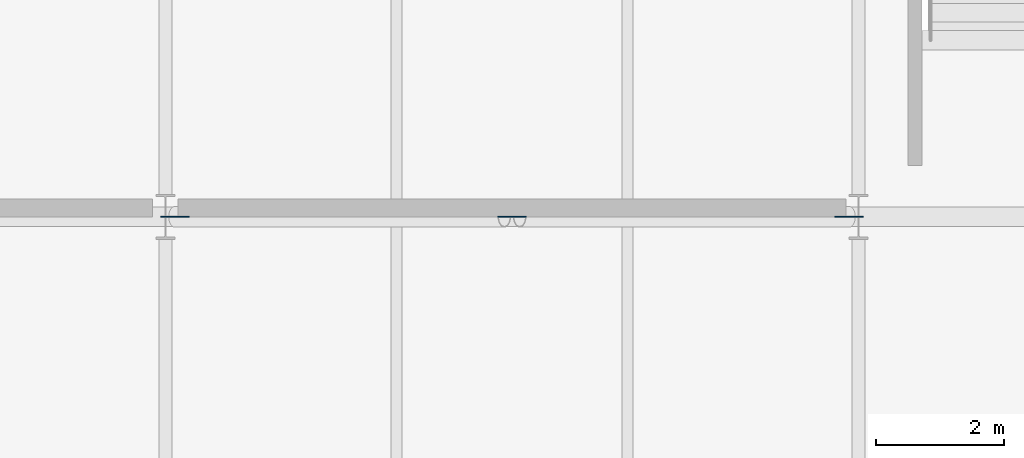
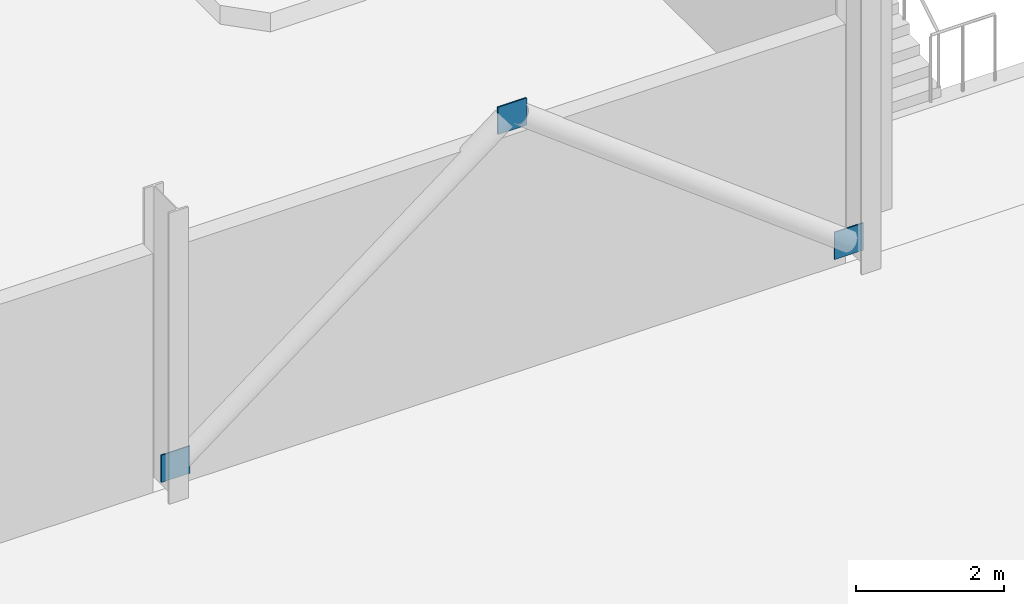
# One storey, part 65 of 92: 3 plates.
"""IFC4 building model written with IfcOpenShell, lengths in metres."""

import ifcopenshell
import ifcopenshell.guid

model = None  # the IFC model being written
_history = None  # IfcOwnerHistory: only IFC2X3 demands one
_inside = {}  # id of a spatial element -> (the spatial element, [elements in it])
_under = {}  # id of a project, library or spatial element -> (it, [spatial elements below it])
_declared = {}  # id of a project -> (the project, [libraries it declares])
_typed = {}  # id of a type object -> (the type object, [elements of that type])
_made_of = {}  # id of a material, layer set ... -> (it, [elements and type objects made of it])


def new_model(schema):
    """Start an empty IFC model of exactly this schema.

    Asked for "IFC4X3", IfcOpenShell would pick the latest addendum, in which some entities
    have other attributes; the version numbers below select the first issue.
    IFC2X3 requires an IfcOwnerHistory on every rooted entity: one is made here for all.
    """
    global model, _history
    if schema == "IFC4X3":
        model = ifcopenshell.file(schema_version=(4, 3, 0, 0))
    else:
        model = ifcopenshell.file(schema=schema)
    _inside.clear()
    _under.clear()
    _declared.clear()
    _typed.clear()
    _made_of.clear()
    _history = None
    if model.schema == "IFC2X3":
        org = make("IfcOrganization", Name="unknown")
        user = make(
            "IfcPersonAndOrganization",
            ThePerson=make("IfcPerson", FamilyName="unknown"),
            TheOrganization=org,
        )
        app = make(
            "IfcApplication",
            ApplicationDeveloper=org,
            Version="unknown",
            ApplicationFullName="unknown",
            ApplicationIdentifier="unknown",
        )
        _history = make(
            "IfcOwnerHistory",
            OwningUser=user,
            OwningApplication=app,
            ChangeAction="ADDED",
            CreationDate=0,
        )
    return model


def make(cls, **values):
    """One entity of the class cls with the attributes given. An attribute that is None is left unset."""
    return model.create_entity(
        cls, **{name: value for name, value in values.items() if value is not None}
    )


def rooted(cls, **values):
    """An entity with a GlobalId (a new one), such as an element, a storey or a relation."""
    return make(cls, GlobalId=ifcopenshell.guid.new(), OwnerHistory=_history, **values)


def si_unit(unit_type, name, prefix=None):
    """IfcSIUnit, for example si_unit("LENGTHUNIT", "METRE", prefix="MILLI")."""
    return make("IfcSIUnit", UnitType=unit_type, Prefix=prefix, Name=name)


def assignment(units):
    """IfcUnitAssignment: the units of a project."""
    return None if units is None else make("IfcUnitAssignment", Units=units)


def point(xyz):
    """IfcCartesianPoint."""
    return None if xyz is None else make("IfcCartesianPoint", Coordinates=xyz)


def direction(xyz):
    """IfcDirection."""
    return None if xyz is None else make("IfcDirection", DirectionRatios=xyz)


def frame(location, z_axis=None, x_axis=None):
    """IfcAxis2Placement3D, a coordinate frame: its origin and axes. An axis left out is left unset."""
    return make(
        "IfcAxis2Placement3D",
        Location=point(location),
        Axis=direction(z_axis),
        RefDirection=direction(x_axis),
    )


def frame_2d(location, x_axis=None):
    """IfcAxis2Placement2D, a coordinate frame in the plane: its origin and x axis."""
    return make(
        "IfcAxis2Placement2D", Location=point(location), RefDirection=direction(x_axis)
    )


def origin():
    """The frame at (0, 0, 0) with its axes left unset."""
    return frame((0.0, 0.0, 0.0))


def origin_2d():
    """The frame at (0, 0) in the plane with its x axis left unset."""
    return frame_2d((0.0, 0.0))


def place(relative_to, where):
    """IfcLocalPlacement: puts the frame where relative to a parent placement (None: the world)."""
    return make(
        "IfcLocalPlacement", PlacementRelTo=relative_to, RelativePlacement=where
    )


def context(
    kind, dimensions, precision=None, world=None, true_north=None, identifier=None
):
    """IfcGeometricRepresentationContext, for example the 3D "Model" context."""
    return make(
        "IfcGeometricRepresentationContext",
        ContextIdentifier=identifier,
        ContextType=kind,
        CoordinateSpaceDimension=dimensions,
        Precision=precision,
        WorldCoordinateSystem=world,
        TrueNorth=true_north,
    )


def subcontext(parent, identifier, kind, view, scale=None):
    """IfcGeometricRepresentationSubContext, for example "Body" below "Model"."""
    return make(
        "IfcGeometricRepresentationSubContext",
        ContextIdentifier=identifier,
        ContextType=kind,
        ParentContext=parent,
        TargetScale=scale,
        TargetView=view,
    )


def project(units=None, contexts=None):
    """IfcProject with its units and contexts."""
    return rooted(
        "IfcProject",
        Name="project",
        RepresentationContexts=contexts,
        UnitsInContext=assignment(units),
    )


def spatial(cls, under=None, at=None, **own):
    """A site, building, storey or space (cls), placed at a placement, below another one or the project."""
    s = rooted(cls, ObjectPlacement=at, **own)
    if under is not None:
        _under.setdefault(under.id(), (under, []))[1].append(s)
    return s


def profile(cls, at=None, kind="AREA", **sizes):
    """A parametric profile (cls). Its sizes go by their IFC names, for example OverallWidth=200.0."""
    return make(cls, ProfileType=kind, Position=at, **sizes)


def rectangle(**sizes):
    """IfcRectangleProfileDef."""
    return profile("IfcRectangleProfileDef", **sizes)


def extrude(swept, where, along, depth):
    """IfcExtrudedAreaSolid: the profile swept, set in the frame where, extruded along a direction by depth."""
    return make(
        "IfcExtrudedAreaSolid",
        SweptArea=swept,
        Position=where,
        ExtrudedDirection=direction(along),
        Depth=depth,
    )


def shape(context_of_items, identifier, shape_type, items):
    """IfcShapeRepresentation: the items that make up one representation, for example the "Body"."""
    return make(
        "IfcShapeRepresentation",
        ContextOfItems=context_of_items,
        RepresentationIdentifier=identifier,
        RepresentationType=shape_type,
        Items=items,
    )


def material(Name=None, Category=None):
    """IfcMaterial."""
    return make("IfcMaterial", Name=Name, Category=Category)


def layer(
    of_material, thickness, ventilated=None, Name=None, Category=None, Priority=None
):
    """IfcMaterialLayer: one layer of a wall or slab, of a material (None: an air gap)."""
    return make(
        "IfcMaterialLayer",
        Material=of_material,
        LayerThickness=thickness,
        IsVentilated=ventilated,
        Name=Name,
        Category=Category,
        Priority=Priority,
    )


def layer_set(layers, Name=None):
    """IfcMaterialLayerSet."""
    return make("IfcMaterialLayerSet", MaterialLayers=layers, LayerSetName=Name)


def made_of(thing, what):
    """Note that an element or type object is made of a material, layer set ...; save() writes the relation."""
    if what is not None:
        _made_of.setdefault(what.id(), (what, []))[1].append(thing)
    return thing


def type_object(cls, material=None, **own):
    """A type object (cls), such as IfcWallType, which elements share."""
    return made_of(rooted(cls, **own), material)


def element(
    cls,
    number,
    at=None,
    inside=None,
    cuts=None,
    type_object=None,
    material=None,
    context=None,
    identifier="Body",
    shape_type=None,
    held_by="IfcProductDefinitionShape",
    body=None,
    shapes=None,
    **own,
):
    """One element of the class cls, such as IfcWall. Its Tag is "e" and its number.

    at: its placement. inside: the storey or other place that contains it. cuts: it is an
    opening in that element (IfcRelVoidsElement). A single representation is given by context,
    identifier, shape_type and body (its items); several are given by shapes. held_by: the class
    of the entity that holds the representations. save() writes the other relations.
    """
    e = rooted(cls, Tag="e%d" % number, ObjectPlacement=at, **own)
    if body is not None:
        shapes = [shape(context, identifier, shape_type, body)]
    if shapes is not None:
        e.Representation = make(held_by, Representations=shapes)
    if inside is not None:
        _inside.setdefault(inside.id(), (inside, []))[1].append(e)
    if cuts is not None:
        rooted(
            "IfcRelVoidsElement", RelatingBuildingElement=cuts, RelatedOpeningElement=e
        )
    if type_object is not None:
        _typed.setdefault(type_object.id(), (type_object, []))[1].append(e)
    return made_of(e, material)


def aggregate(whole, parts):
    """IfcRelAggregates: a whole, such as a stair, and the parts it consists of."""
    return rooted("IfcRelAggregates", RelatingObject=whole, RelatedObjects=parts)


def save(model, path):
    """Write the relations noted so far, then the file.

    IfcRelAggregates (storeys below a building ...), IfcRelContainedInSpatialStructure (elements
    in a storey), IfcRelDefinesByType, IfcRelAssociatesMaterial and IfcRelDeclares: one each for
    every whole, place, type object, material and project.
    """
    for whole, parts in _under.values():
        aggregate(whole, parts)
    for where, things in _inside.values():
        rooted(
            "IfcRelContainedInSpatialStructure",
            RelatedElements=things,
            RelatingStructure=where,
        )
    for kind, things in _typed.values():
        rooted("IfcRelDefinesByType", RelatedObjects=things, RelatingType=kind)
    for what, things in _made_of.values():
        rooted("IfcRelAssociatesMaterial", RelatedObjects=things, RelatingMaterial=what)
    for by, libraries in _declared.values():
        rooted("IfcRelDeclares", RelatingContext=by, RelatedDefinitions=libraries)
    model.write(path)


model = new_model("IFC4")

# Units and contexts
model_context = context("Model", 3, precision=1e-05, world=origin(), true_north=direction((0.0, 1.0)))
body_context = subcontext(model_context, "Body", "Model", "MODEL_VIEW")
ifc_project = project(units=[si_unit("LENGTHUNIT", "METRE"), si_unit("AREAUNIT", "SQUARE_METRE"), si_unit("VOLUMEUNIT", "CUBIC_METRE"), si_unit("PLANEANGLEUNIT", "RADIAN"), si_unit("MASSUNIT", "GRAM", prefix="KILO")], contexts=[model_context])

# Site, building, storey
site_placement = place(None, origin())
site = spatial("IfcSite", under=ifc_project, at=site_placement, CompositionType="ELEMENT")
building_placement = place(site_placement, origin())
building = spatial("IfcBuilding", under=site, at=building_placement, Name="Tasgan Crest Museum", CompositionType="ELEMENT")
storey_placement = place(building_placement, frame((0.0, 0.0, 4.800048828125)))
storey = spatial("IfcBuildingStorey", under=building, at=storey_placement, Name="L01", CompositionType="ELEMENT", Elevation=4.800048828125)

# Plates
ifc_material = material(Name="Steel S355K2", Category="steel")
ifc_layer = layer(ifc_material, 0.02001953125, Name="PL-GUSSET-450")
ifc_layer_set = layer_set([ifc_layer], Name="Steel S355K2")
plate_type = type_object("IfcPlateType", Name="PL-GUSSET-450", PredefinedType="USERDEFINED", material=ifc_layer_set)
for number, where, z_axis, x_axis, name in (
    (1, (27.0, 40.0, 4.02490234375), (0.0, 0.0, 1.0), (1.0, 0.0, 0.0), "Chevron gusset plate L01 E 27.0"),
    (2, (21.75, 40.0, 0.125), (0.0, 0.0, 1.0), (1.0, 0.0, 0.0), "Gusset plate Chevron brace L L01 E 21.6 end A"),
    (3, (32.25, 40.0, 0.125), (0.0, 0.0, 1.0), (1.0, 0.0, 0.0), "Gusset plate Chevron brace R L01 E 32.4 end A"),
):
    element("IfcPlate", number, at=place(storey_placement, frame(where, z_axis=z_axis, x_axis=x_axis)), inside=storey, type_object=plate_type, Name=name, ObjectType="GUSSET PLATE", PredefinedType="USERDEFINED", context=body_context, shape_type="SweptSolid", body=[
        extrude(rectangle(XDim=0.449951171875, YDim=0.02001953125, at=origin_2d()), origin(), (0.0, 0.0, 1.0), 0.449951171875),
    ])

save(model, "model.ifc")
